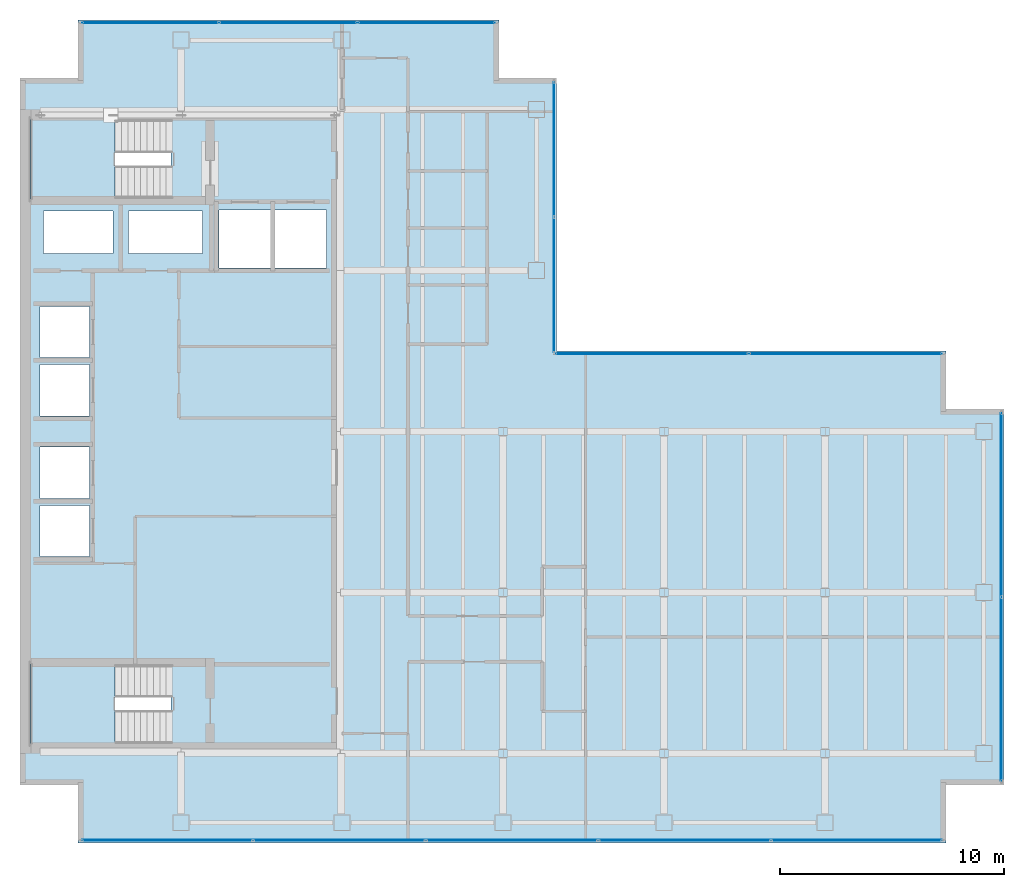
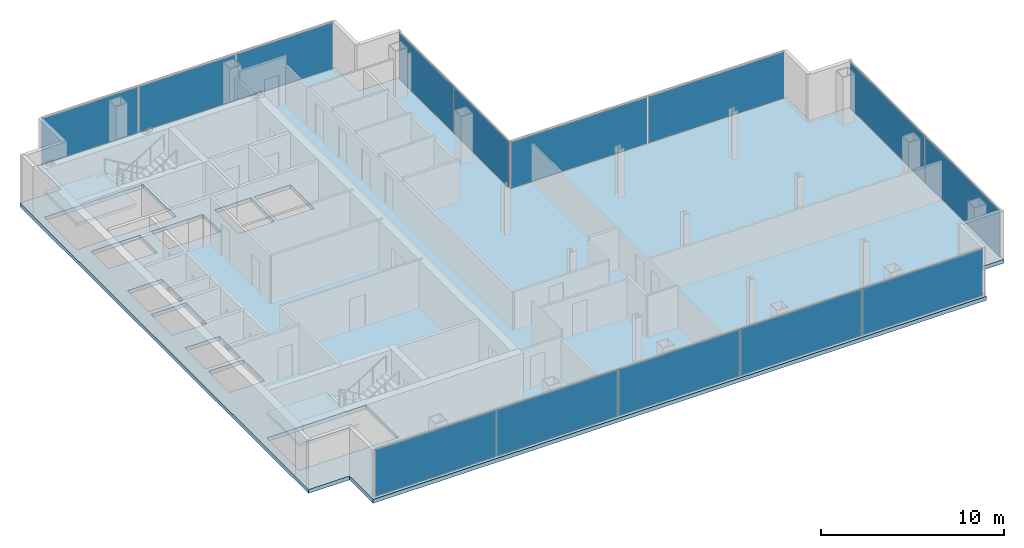
# One storey, part 19 of 23: 14 plates, 3 slabs, 10 openings, 7 elements without a shape of their own.
"""IFC4 building model written with IfcOpenShell, lengths in metres."""

from ifc_helpers import new_model, si_unit, direction, frame, origin, origin_2d, place, context, subcontext, project, spatial, polyline, rectangle, outline, extrude, material, layer, layer_set, type_object, element, aggregate, save


model = new_model("IFC4")

# Units and contexts
model_context = context("Model", 3, precision=1e-05, world=origin(), true_north=direction((0.0, 1.0)))
body_context = subcontext(model_context, "Body", "Model", "MODEL_VIEW")
ifc_project = project(units=[si_unit("LENGTHUNIT", "METRE"), si_unit("AREAUNIT", "SQUARE_METRE"), si_unit("VOLUMEUNIT", "CUBIC_METRE"), si_unit("PLANEANGLEUNIT", "RADIAN"), si_unit("MASSUNIT", "GRAM", prefix="KILO")], contexts=[model_context])

# Site, building, storey
site_placement = place(None, origin())
site = spatial("IfcSite", under=ifc_project, at=site_placement, CompositionType="ELEMENT")
building_placement = place(site_placement, origin())
building = spatial("IfcBuilding", under=site, at=building_placement, Name="Cobrela Telecom Tower", CompositionType="ELEMENT")
storey_placement = place(building_placement, frame((0.0, 0.0, 201.25)))
storey = spatial("IfcBuildingStorey", under=building, at=storey_placement, Name="L51", CompositionType="ELEMENT", Elevation=201.25)

# Curtain wall, plates
ifc_material_1 = material(Name="Anodized Bronze Aluminium 6063-T6", Category="aluminium")
curtain_wall_type = type_object("IfcCurtainWallType", Name="CW-SYS-OFF-LO", PredefinedType="USERDEFINED", material=ifc_material_1)
curtain_wall_1_placement = place(storey_placement, origin())
curtain_wall_1 = element("IfcCurtainWall", 1, at=curtain_wall_1_placement, inside=storey, type_object=curtain_wall_type, Name="L51 Unitised Bronze Curtain Wall 07", ObjectType="UNITISED CURTAIN WALL", PredefinedType="USERDEFINED")
ifc_material_2 = material(Name="Solar-Control Bronze Low-E Glass", Category="glass")
ifc_layer_1 = layer(ifc_material_2, 0.031982421875)
ifc_layer_set_1 = layer_set([ifc_layer_1], Name="Solar-Control Bronze Low-E Glass")
plate_type = type_object("IfcPlateType", Name="CW-SYS-OFF-LO-PNL", PredefinedType="CURTAIN_PANEL", material=ifc_layer_set_1)
plate_1_placement = place(storey_placement, frame((5.82421875, 39.8798828125, 0.070068359375), z_axis=(0.0, 0.0, 1.0), x_axis=(1.0, 0.0, 0.0)))
plate_1 = element("IfcPlate", 2, at=plate_1_placement, type_object=plate_type, Name="CW-OFF-LO panel 1.1", PredefinedType="CURTAIN_PANEL", context=body_context, shape_type="SweptSolid", body=[
    extrude(rectangle(XDim=6.08837890625, YDim=0.031982421875, at=origin_2d()), origin(), (0.0, 0.0, 1.0), 3.10009765625),
])
plate_2_placement = place(storey_placement, frame((12.0, 39.8798828125, 0.070068359375), z_axis=(0.0, 0.0, 1.0), x_axis=(1.0, 0.0, 0.0)))
plate_2 = element("IfcPlate", 3, at=plate_2_placement, type_object=plate_type, Name="CW-OFF-LO panel 2.1", PredefinedType="CURTAIN_PANEL", context=body_context, shape_type="SweptSolid", body=[
    extrude(rectangle(XDim=6.123291015625, YDim=0.031982421875, at=origin_2d()), origin(), (0.0, 0.0, 1.0), 3.10009765625),
])
plate_3_placement = place(storey_placement, frame((18.17578125, 39.8798828125, 0.070068359375), z_axis=(0.0, 0.0, 1.0), x_axis=(1.0, 0.0, 0.0)))
plate_3 = element("IfcPlate", 4, at=plate_3_placement, type_object=plate_type, Name="CW-OFF-LO panel 3.1", PredefinedType="CURTAIN_PANEL", context=body_context, shape_type="SweptSolid", body=[
    extrude(rectangle(XDim=6.08837890625, YDim=0.031982421875, at=origin_2d()), origin(), (0.0, 0.0, 1.0), 3.10009765625),
])
aggregate(curtain_wall_1, [plate_1, plate_2, plate_3])

curtain_wall_2_placement = place(storey_placement, origin())
curtain_wall_2 = element("IfcCurtainWall", 5, at=curtain_wall_2_placement, inside=storey, type_object=curtain_wall_type, Name="L51 Unitised Bronze Curtain Wall 10", ObjectType="UNITISED CURTAIN WALL", PredefinedType="USERDEFINED")
plate_4_placement = place(storey_placement, frame((23.8798828125, 34.219970703125, 0.070068359375), z_axis=(0.0, 0.0, 1.0), x_axis=(0.0, -1.0, 0.0)))
plate_4 = element("IfcPlate", 6, at=plate_4_placement, type_object=plate_type, Name="CW-OFF-LO panel 1.1", PredefinedType="CURTAIN_PANEL", context=body_context, shape_type="SweptSolid", body=[
    extrude(rectangle(XDim=6.0, YDim=0.031982421875, at=origin_2d()), origin(), (0.0, 0.0, 1.0), 3.10009765625),
])
plate_5_placement = place(storey_placement, frame((23.8798828125, 28.14990234375, 0.070068359375), z_axis=(0.0, 0.0, 1.0), x_axis=(0.0, -1.0, 0.0)))
plate_5 = element("IfcPlate", 7, at=plate_5_placement, type_object=plate_type, Name="CW-OFF-LO panel 2.1", PredefinedType="CURTAIN_PANEL", context=body_context, shape_type="SweptSolid", body=[
    extrude(rectangle(XDim=6.0, YDim=0.031982421875, at=origin_2d()), origin(), (0.0, 0.0, 1.0), 3.10009765625),
])
aggregate(curtain_wall_2, [plate_4, plate_5])

curtain_wall_3_placement = place(storey_placement, origin())
curtain_wall_3 = element("IfcCurtainWall", 8, at=curtain_wall_3_placement, inside=storey, type_object=curtain_wall_type, Name="L51 Unitised Bronze Curtain Wall 11", ObjectType="UNITISED CURTAIN WALL", PredefinedType="USERDEFINED")
plate_6_placement = place(storey_placement, frame((28.25, 25.080078125, 0.070068359375), z_axis=(0.0, 0.0, 1.0), x_axis=(1.0, 0.0, 0.0)))
plate_6 = element("IfcPlate", 9, at=plate_6_placement, type_object=plate_type, Name="CW-OFF-LO panel 1.1", PredefinedType="CURTAIN_PANEL", context=body_context, shape_type="SweptSolid", body=[
    extrude(rectangle(XDim=8.60009765625, YDim=0.031982421875, at=origin_2d()), origin(), (0.0, 0.0, 1.0), 3.10009765625),
])
plate_7_placement = place(storey_placement, frame((36.919921875, 25.080078125, 0.070068359375), z_axis=(0.0, 0.0, 1.0), x_axis=(1.0, 0.0, 0.0)))
plate_7 = element("IfcPlate", 10, at=plate_7_placement, type_object=plate_type, Name="CW-OFF-LO panel 2.1", PredefinedType="CURTAIN_PANEL", context=body_context, shape_type="SweptSolid", body=[
    extrude(rectangle(XDim=8.60009765625, YDim=0.031982421875, at=origin_2d()), origin(), (0.0, 0.0, 1.0), 3.10009765625),
])
aggregate(curtain_wall_3, [plate_6, plate_7])

curtain_wall_4_placement = place(storey_placement, origin())
curtain_wall_4 = element("IfcCurtainWall", 11, at=curtain_wall_4_placement, inside=storey, type_object=curtain_wall_type, Name="L51 Unitised Bronze Curtain Wall 14", ObjectType="UNITISED CURTAIN WALL", PredefinedType="USERDEFINED")
plate_8_placement = place(storey_placement, frame((43.8798828125, 18.327392578125, 0.070068359375), z_axis=(0.0, 0.0, 1.0), x_axis=(0.0, -1.0, 0.0)))
plate_8 = element("IfcPlate", 12, at=plate_8_placement, type_object=plate_type, Name="CW-OFF-LO panel 1.1", PredefinedType="CURTAIN_PANEL", context=body_context, shape_type="SweptSolid", body=[
    extrude(rectangle(XDim=8.18505859375, YDim=0.031982421875, at=origin_2d()), origin(), (0.0, 0.0, 1.0), 3.10009765625),
])
plate_9_placement = place(storey_placement, frame((43.8798828125, 10.072509765625, 0.070068359375), z_axis=(0.0, 0.0, 1.0), x_axis=(0.0, -1.0, 0.0)))
plate_9 = element("IfcPlate", 13, at=plate_9_placement, type_object=plate_type, Name="CW-OFF-LO panel 2.1", PredefinedType="CURTAIN_PANEL", context=body_context, shape_type="SweptSolid", body=[
    extrude(rectangle(XDim=8.18505859375, YDim=0.031982421875, at=origin_2d()), origin(), (0.0, 0.0, 1.0), 3.10009765625),
])
aggregate(curtain_wall_4, [plate_8, plate_9])

curtain_wall_5_placement = place(storey_placement, origin())
curtain_wall_5 = element("IfcCurtainWall", 14, at=curtain_wall_5_placement, inside=storey, type_object=curtain_wall_type, Name="L51 Unitised Bronze Curtain Wall 17", ObjectType="UNITISED CURTAIN WALL", PredefinedType="USERDEFINED")
plate_10_placement = place(storey_placement, frame((37.41455078125, 3.320068359375, 0.070068359375), z_axis=(0.0, 0.0, 1.0), x_axis=(-1.0, 0.0, 0.0)))
plate_10 = element("IfcPlate", 15, at=plate_10_placement, type_object=plate_type, Name="CW-OFF-LO panel 1.1", PredefinedType="CURTAIN_PANEL", context=body_context, shape_type="SweptSolid", body=[
    extrude(rectangle(XDim=7.611083984375, YDim=0.031982421875, at=origin_2d()), origin(), (0.0, 0.0, 1.0), 3.10009765625),
])
plate_11_placement = place(storey_placement, frame((29.716064453125, 3.320068359375, 0.070068359375), z_axis=(0.0, 0.0, 1.0), x_axis=(-1.0, 0.0, 0.0)))
plate_11 = element("IfcPlate", 16, at=plate_11_placement, type_object=plate_type, Name="CW-OFF-LO panel 2.1", PredefinedType="CURTAIN_PANEL", context=body_context, shape_type="SweptSolid", body=[
    extrude(rectangle(XDim=7.64599609375, YDim=0.031982421875, at=origin_2d()), origin(), (0.0, 0.0, 1.0), 3.10009765625),
])
plate_12_placement = place(storey_placement, frame((22.0, 3.320068359375, 0.070068359375), z_axis=(0.0, 0.0, 1.0), x_axis=(-1.0, 0.0, 0.0)))
plate_12 = element("IfcPlate", 17, at=plate_12_placement, type_object=plate_type, Name="CW-OFF-LO panel 3.1", PredefinedType="CURTAIN_PANEL", context=body_context, shape_type="SweptSolid", body=[
    extrude(rectangle(XDim=7.64599609375, YDim=0.031982421875, at=origin_2d()), origin(), (0.0, 0.0, 1.0), 3.10009765625),
])
plate_13_placement = place(storey_placement, frame((14.283935546875, 3.320068359375, 0.070068359375), z_axis=(0.0, 0.0, 1.0), x_axis=(-1.0, 0.0, 0.0)))
plate_13 = element("IfcPlate", 18, at=plate_13_placement, type_object=plate_type, Name="CW-OFF-LO panel 4.1", PredefinedType="CURTAIN_PANEL", context=body_context, shape_type="SweptSolid", body=[
    extrude(rectangle(XDim=7.64599609375, YDim=0.031982421875, at=origin_2d()), origin(), (0.0, 0.0, 1.0), 3.10009765625),
])
plate_14_placement = place(storey_placement, frame((6.58544921875, 3.320068359375, 0.070068359375), z_axis=(0.0, 0.0, 1.0), x_axis=(-1.0, 0.0, 0.0)))
plate_14 = element("IfcPlate", 19, at=plate_14_placement, type_object=plate_type, Name="CW-OFF-LO panel 5.1", PredefinedType="CURTAIN_PANEL", context=body_context, shape_type="SweptSolid", body=[
    extrude(rectangle(XDim=7.611083984375, YDim=0.031982421875, at=origin_2d()), origin(), (0.0, 0.0, 1.0), 3.10009765625),
])
aggregate(curtain_wall_5, [plate_10, plate_11, plate_12, plate_13, plate_14])

# Slab, openings
ifc_material_3 = material(Name="Concrete C40/50", Category="concrete")
ifc_layer_2 = layer(ifc_material_3, 0.260009765625)
ifc_layer_set_2 = layer_set([ifc_layer_2], Name="Concrete C40/50")
slab_type_1 = type_object("IfcSlabType", Name="SLAB-FLR-260", PredefinedType="FLOOR", material=ifc_layer_set_2)
slab_1_placement = place(storey_placement, frame((0.0, 0.0, -0.260009765625)))
slab_1 = element("IfcSlab", 20, at=slab_1_placement, inside=storey, type_object=slab_type_1, Name="L51 Structural Floor Slab", PredefinedType="FLOOR", context=body_context, shape_type="SweptSolid", body=[
    extrude(outline(polyline([(2.590087890625, 3.199951171875), (41.409912109375, 3.199951171875), (41.409912109375, 5.7900390625), (44.0, 5.7900390625), (44.0, 22.610107421875), (41.409912109375, 22.610107421875), (41.409912109375, 25.199951171875), (24.0, 25.199951171875), (24.0, 37.409912109375), (21.409912109375, 37.409912109375), (21.409912109375, 40.0), (2.590087890625, 40.0), (2.590087890625, 37.409912109375), (0.0, 37.409912109375), (0.0, 5.7900390625), (2.590087890625, 5.7900390625), (2.590087890625, 3.199951171875)])), origin(), (0.0, 0.0, 1.0), 0.260009765625),
])
opening_1_placement = place(slab_1_placement, frame((0.0, 0.0, -0.02001953125)))
element("IfcOpeningElement", 21, at=opening_1_placement, cuts=slab_1, Name="Slab Shaft Opening SLAB-L51-MAIN.1", PredefinedType="OPENING", context=body_context, shape_type="SweptSolid", body=[
    extrude(outline(polyline([(8.89990234375, 28.89990234375), (11.199951171875, 28.89990234375), (11.199951171875, 31.5), (8.89990234375, 31.5), (8.89990234375, 28.89990234375)])), origin(), (0.0, 0.0, 1.0), 0.300048828125),
])
opening_2_placement = place(slab_1_placement, frame((0.0, 0.0, -0.02001953125)))
element("IfcOpeningElement", 22, at=opening_2_placement, cuts=slab_1, Name="Slab Shaft Opening SLAB-L51-MAIN.2", PredefinedType="OPENING", context=body_context, shape_type="SweptSolid", body=[
    extrude(outline(polyline([(11.39990234375, 28.89990234375), (13.699951171875, 28.89990234375), (13.699951171875, 31.5), (11.39990234375, 31.5), (11.39990234375, 28.89990234375)])), origin(), (0.0, 0.0, 1.0), 0.300048828125),
])
opening_3_placement = place(slab_1_placement, frame((0.0, 0.0, -0.02001953125)))
element("IfcOpeningElement", 23, at=opening_3_placement, cuts=slab_1, Name="Slab Shaft Opening SLAB-L51-MAIN.3", PredefinedType="OPENING", context=body_context, shape_type="SweptSolid", body=[
    extrude(outline(polyline([(0.89990234375, 16.0), (3.10009765625, 16.0), (3.10009765625, 18.300048828125), (0.89990234375, 18.300048828125), (0.89990234375, 16.0)])), origin(), (0.0, 0.0, 1.0), 0.300048828125),
])
opening_4_placement = place(slab_1_placement, frame((0.0, 0.0, -0.02001953125)))
element("IfcOpeningElement", 24, at=opening_4_placement, cuts=slab_1, Name="Slab Shaft Opening SLAB-L51-MAIN.4", PredefinedType="OPENING", context=body_context, shape_type="SweptSolid", body=[
    extrude(outline(polyline([(0.89990234375, 18.60009765625), (3.10009765625, 18.60009765625), (3.10009765625, 20.89990234375), (0.89990234375, 20.89990234375), (0.89990234375, 18.60009765625)])), origin(), (0.0, 0.0, 1.0), 0.300048828125),
])
opening_5_placement = place(slab_1_placement, frame((0.0, 0.0, -0.02001953125)))
element("IfcOpeningElement", 25, at=opening_5_placement, cuts=slab_1, Name="Slab Shaft Opening SLAB-L51-MAIN.5", PredefinedType="OPENING", context=body_context, shape_type="SweptSolid", body=[
    extrude(outline(polyline([(0.89990234375, 22.300048828125), (3.10009765625, 22.300048828125), (3.10009765625, 24.60009765625), (0.89990234375, 24.60009765625), (0.89990234375, 22.300048828125)])), origin(), (0.0, 0.0, 1.0), 0.300048828125),
])
opening_6_placement = place(slab_1_placement, frame((0.0, 0.0, -0.02001953125)))
element("IfcOpeningElement", 26, at=opening_6_placement, cuts=slab_1, Name="Slab Shaft Opening SLAB-L51-MAIN.6", PredefinedType="OPENING", context=body_context, shape_type="SweptSolid", body=[
    extrude(outline(polyline([(0.89990234375, 24.89990234375), (3.10009765625, 24.89990234375), (3.10009765625, 27.199951171875), (0.89990234375, 27.199951171875), (0.89990234375, 24.89990234375)])), origin(), (0.0, 0.0, 1.0), 0.300048828125),
])
opening_7_placement = place(slab_1_placement, frame((0.0, 0.0, -0.02001953125)))
element("IfcOpeningElement", 27, at=opening_7_placement, cuts=slab_1, Name="Slab Shaft Opening SLAB-L51-MAIN.7", PredefinedType="OPENING", context=body_context, shape_type="SweptSolid", body=[
    extrude(outline(polyline([(1.050048828125, 29.550048828125), (4.14990234375, 29.550048828125), (4.14990234375, 31.449951171875), (1.050048828125, 31.449951171875), (1.050048828125, 29.550048828125)])), origin(), (0.0, 0.0, 1.0), 0.300048828125),
])
opening_8_placement = place(slab_1_placement, frame((0.0, 0.0, -0.02001953125)))
element("IfcOpeningElement", 28, at=opening_8_placement, cuts=slab_1, Name="Slab Shaft Opening SLAB-L51-MAIN.8", PredefinedType="OPENING", context=body_context, shape_type="SweptSolid", body=[
    extrude(outline(polyline([(4.85009765625, 29.550048828125), (8.14990234375, 29.550048828125), (8.14990234375, 31.449951171875), (4.85009765625, 31.449951171875), (4.85009765625, 29.550048828125)])), origin(), (0.0, 0.0, 1.0), 0.300048828125),
])
opening_9_placement = place(slab_1_placement, frame((0.0, 0.0, -0.02001953125)))
element("IfcOpeningElement", 29, at=opening_9_placement, cuts=slab_1, Name="Slab Shaft Opening SLAB-L51-MAIN.9", PredefinedType="OPENING", context=body_context, shape_type="SweptSolid", body=[
    extrude(outline(polyline([(6.7548828125, 35.550048828125), (0.47998046875, 35.550048828125), (0.47998046875, 32.0), (6.7548828125, 32.0), (6.7548828125, 35.550048828125)])), origin(), (0.0, 0.0, 1.0), 0.300048828125),
])
opening_10_placement = place(slab_1_placement, frame((0.0, 0.0, -0.02001953125)))
element("IfcOpeningElement", 30, at=opening_10_placement, cuts=slab_1, Name="Slab Shaft Opening SLAB-L51-MAIN.10", PredefinedType="OPENING", context=body_context, shape_type="SweptSolid", body=[
    extrude(outline(polyline([(6.7548828125, 11.199951171875), (0.47998046875, 11.199951171875), (0.47998046875, 7.64990234375), (6.7548828125, 7.64990234375), (6.7548828125, 11.199951171875)])), origin(), (0.0, 0.0, 1.0), 0.300048828125),
])

# Stair, slab
stair_type = type_object("IfcStairType", Name="STAIR-CORE", PredefinedType="HALF_TURN_STAIR", material=ifc_material_3)
stair_1_placement = place(storey_placement, origin())
stair_1 = element("IfcStair", 31, at=stair_1_placement, inside=storey, type_object=stair_type, Name="L51 Smokeproof Exit Stair ST1", PredefinedType="HALF_TURN_STAIR")
ifc_layer_3 = layer(ifc_material_3, 0.199951171875)
ifc_layer_set_3 = layer_set([ifc_layer_3], Name="Concrete C40/50")
slab_type_2 = type_object("IfcSlabType", Name="SLAB-LAND-200", PredefinedType="LANDING", material=ifc_layer_set_3)
slab_2_placement = place(storey_placement, frame((0.0, 0.0, 1.550048828125)))
slab_2 = element("IfcSlab", 32, at=slab_2_placement, type_object=slab_type_2, Name="ST1 landing 1", PredefinedType="LANDING", context=body_context, shape_type="SweptSolid", body=[
    extrude(outline(polyline([(4.2548828125, 35.550048828125), (0.47998046875, 35.550048828125), (0.47998046875, 32.0), (4.2548828125, 32.0), (4.2548828125, 35.550048828125)])), origin(), (0.0, 0.0, 1.0), 0.199951171875),
])
aggregate(stair_1, [slab_2])

stair_2_placement = place(storey_placement, origin())
stair_2 = element("IfcStair", 33, at=stair_2_placement, inside=storey, type_object=stair_type, Name="L51 Smokeproof Exit Stair ST2", PredefinedType="HALF_TURN_STAIR")
slab_3_placement = place(storey_placement, frame((0.0, 0.0, 1.550048828125)))
slab_3 = element("IfcSlab", 34, at=slab_3_placement, type_object=slab_type_2, Name="ST2 landing 1", PredefinedType="LANDING", context=body_context, shape_type="SweptSolid", body=[
    extrude(outline(polyline([(4.2548828125, 11.199951171875), (0.47998046875, 11.199951171875), (0.47998046875, 7.64990234375), (4.2548828125, 7.64990234375), (4.2548828125, 11.199951171875)])), origin(), (0.0, 0.0, 1.0), 0.199951171875),
])
aggregate(stair_2, [slab_3])

save(model, "model.ifc")
